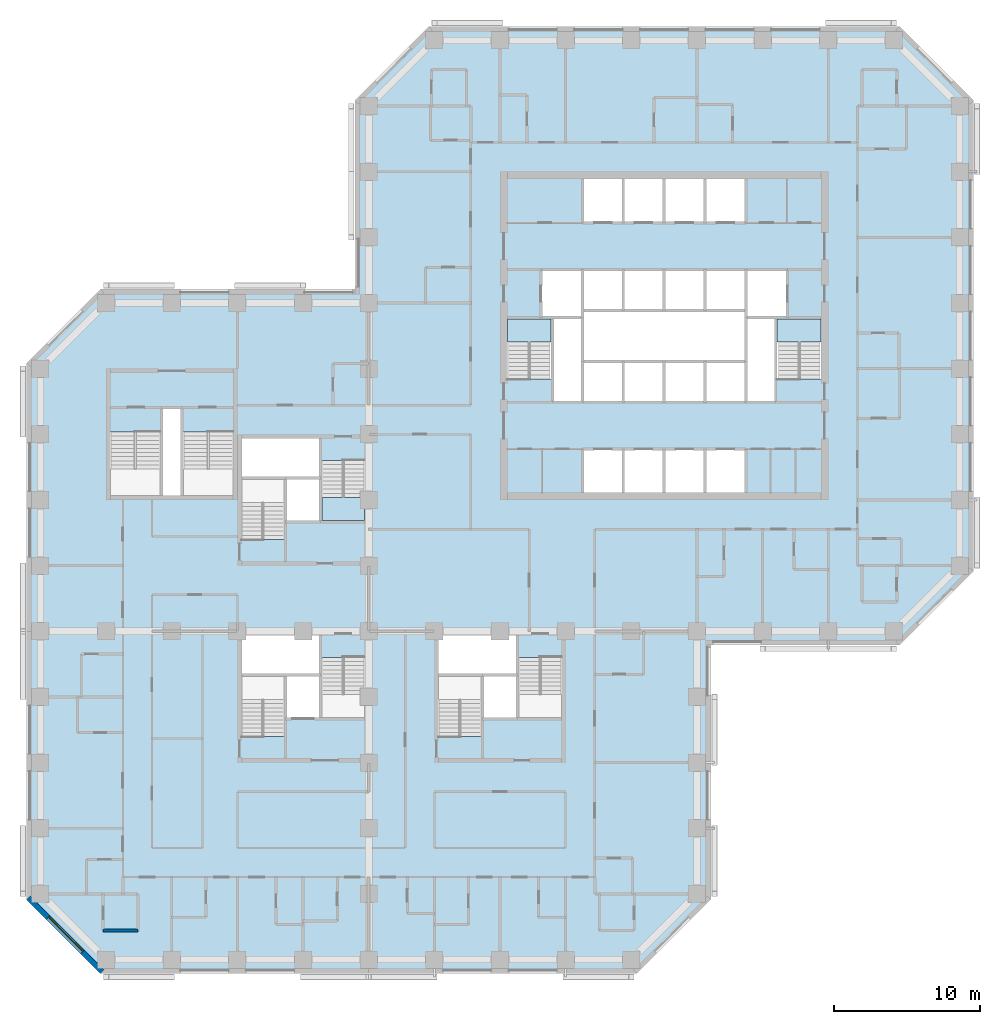
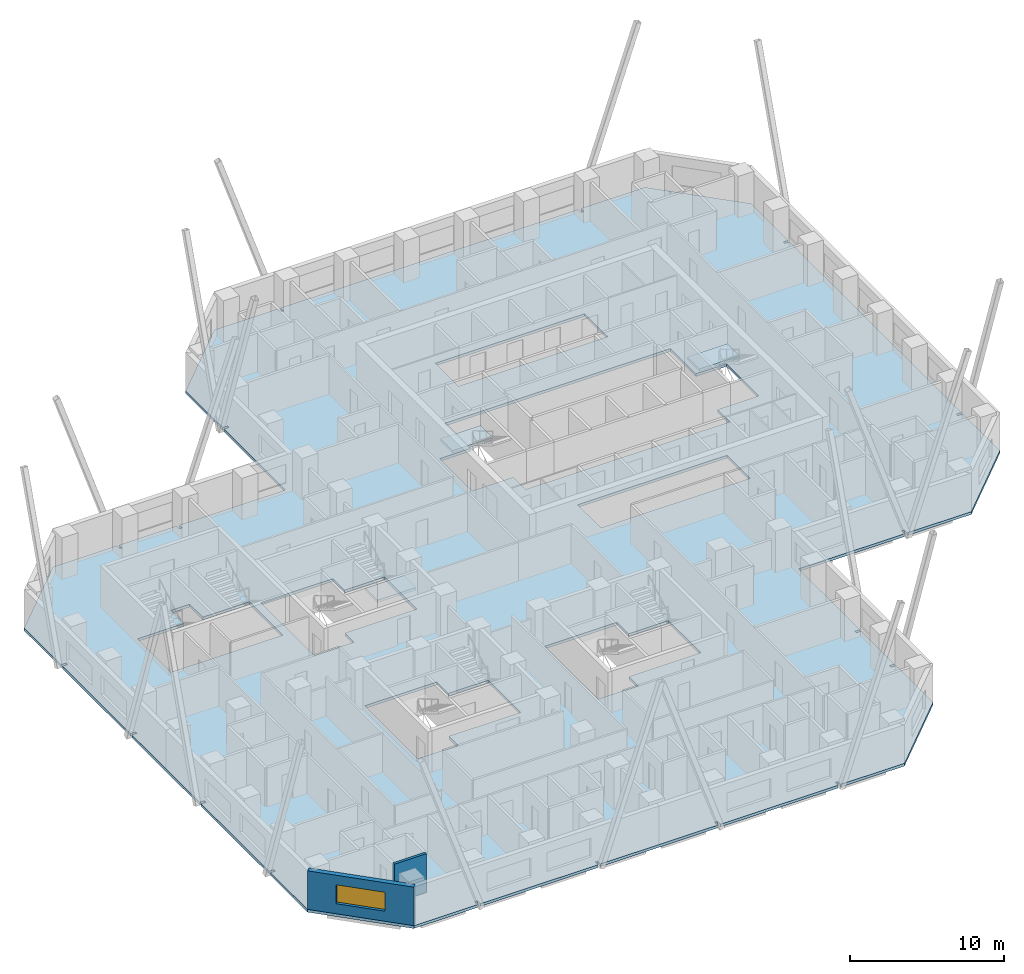
# One storey, part 2 of 13: 4 slabs, 2 walls, 1 window, 1 opening, 3 elements without a shape of their own.
"""IFC4 building model written with IfcOpenShell, lengths in metres."""

from ifc_helpers import new_model, si_unit, direction, frame, frame_2d, origin, place, context, subcontext, project, spatial, polyline, rectangle, outline, extrude, material, layer, layer_set, constituent, constituent_set, type_object, element, fill, aggregate, save


model = new_model("IFC4")

# Units and contexts
model_context = context("Model", 3, precision=1e-05, world=origin(), true_north=direction((0.0, 1.0)))
body_context = subcontext(model_context, "Body", "Model", "MODEL_VIEW")
ifc_project = project(units=[si_unit("LENGTHUNIT", "METRE"), si_unit("AREAUNIT", "SQUARE_METRE"), si_unit("VOLUMEUNIT", "CUBIC_METRE"), si_unit("PLANEANGLEUNIT", "RADIAN"), si_unit("MASSUNIT", "GRAM", prefix="KILO")], contexts=[model_context])

# Site, building, storey
site_placement = place(None, origin())
site = spatial("IfcSite", under=ifc_project, at=site_placement, CompositionType="ELEMENT")
building_placement = place(site_placement, origin())
building = spatial("IfcBuilding", under=site, at=building_placement, Name="Quoin Convention Tower", CompositionType="ELEMENT")
storey_placement = place(building_placement, frame((0.0, 0.0, 26.39990234375)))
storey = spatial("IfcBuildingStorey", under=building, at=storey_placement, Name="L05", CompositionType="ELEMENT", Elevation=26.39990234375)

# Slab
ifc_material_1 = material(Name="Concrete C50", Category="concrete")
ifc_layer_1 = layer(ifc_material_1, 0.219970703125)
ifc_layer_set_1 = layer_set([ifc_layer_1], Name="Concrete C50")
slab_type_1 = type_object("IfcSlabType", Name="RC SLAB 220 C50", PredefinedType="FLOOR", material=ifc_layer_set_1)
slab_1_placement = place(storey_placement, frame((0.0, 0.0, -0.219970703125)))
element("IfcSlab", 1, at=slab_1_placement, inside=storey, type_object=slab_type_1, Name="slb-L05", PredefinedType="FLOOR", context=body_context, shape_type="SweptSolid", body=[
    extrude(outline(polyline([(17.6064453125, 63.949951171875), (22.405029296875, 63.949951171875), (22.405029296875, 63.580078125), (22.594970703125, 63.580078125), (22.594970703125, 63.949951171875), (26.905029296875, 63.949951171875), (26.905029296875, 63.580078125), (27.094970703125, 63.580078125), (27.094970703125, 63.949951171875), (35.050048828125, 63.949951171875), (35.050048828125, 71.905029296875), (35.419921875, 71.905029296875), (35.419921875, 72.094970703125), (35.050048828125, 72.094970703125), (35.050048828125, 76.8935546875), (40.1064453125, 81.949951171875), (44.905029296875, 81.949951171875), (44.905029296875, 81.580078125), (45.094970703125, 81.580078125), (45.094970703125, 81.949951171875), (67.405029296875, 81.949951171875), (67.405029296875, 81.580078125), (67.594970703125, 81.580078125), (67.594970703125, 81.949951171875), (72.3935546875, 81.949951171875), (77.449951171875, 76.8935546875), (77.449951171875, 72.094970703125), (77.080078125, 72.094970703125), (77.080078125, 71.905029296875), (77.449951171875, 71.905029296875), (77.449951171875, 49.594970703125), (77.080078125, 49.594970703125), (77.080078125, 49.405029296875), (77.449951171875, 49.405029296875), (77.449951171875, 44.6064453125), (72.3935546875, 39.550048828125), (67.594970703125, 39.550048828125), (67.594970703125, 39.919921875), (67.405029296875, 39.919921875), (67.405029296875, 39.550048828125), (59.449951171875, 39.550048828125), (59.449951171875, 31.594970703125), (59.080078125, 31.594970703125), (59.080078125, 31.405029296875), (59.449951171875, 31.405029296875), (59.449951171875, 27.094970703125), (59.080078125, 27.094970703125), (59.080078125, 26.905029296875), (59.449951171875, 26.905029296875), (59.449951171875, 22.1064453125), (54.3935546875, 17.050048828125), (49.594970703125, 17.050048828125), (49.594970703125, 17.419921875), (49.405029296875, 17.419921875), (49.405029296875, 17.050048828125), (40.594970703125, 17.050048828125), (40.594970703125, 17.419921875), (40.405029296875, 17.419921875), (40.405029296875, 17.050048828125), (31.594970703125, 17.050048828125), (31.594970703125, 17.419921875), (31.405029296875, 17.419921875), (31.405029296875, 17.050048828125), (22.594970703125, 17.050048828125), (22.594970703125, 17.419921875), (22.405029296875, 17.419921875), (22.405029296875, 17.050048828125), (17.6064453125, 17.050048828125), (12.550048828125, 22.1064453125), (12.550048828125, 26.905029296875), (12.919921875, 26.905029296875), (12.919921875, 27.094970703125), (12.550048828125, 27.094970703125), (12.550048828125, 35.905029296875), (12.919921875, 35.905029296875), (12.919921875, 36.094970703125), (12.550048828125, 36.094970703125), (12.550048828125, 44.905029296875), (12.919921875, 44.905029296875), (12.919921875, 45.094970703125), (12.550048828125, 45.094970703125), (12.550048828125, 53.905029296875), (12.919921875, 53.905029296875), (12.919921875, 54.094970703125), (12.550048828125, 54.094970703125), (12.550048828125, 58.8935546875), (17.6064453125, 63.949951171875)]), holes=[polyline([(30.300048828125, 34.5), (32.699951171875, 34.5), (35.699951171875, 34.5), (35.699951171875, 38.699462890625), (32.699951171875, 38.699462890625), (32.699951171875, 40.199951171875), (27.300048828125, 40.199951171875), (27.300048828125, 37.5), (27.300048828125, 33.300537109375), (30.300048828125, 33.300537109375), (30.300048828125, 34.5)]), polyline([(43.800048828125, 34.5), (46.199951171875, 34.5), (49.199951171875, 34.5), (49.199951171875, 38.699462890625), (46.199951171875, 38.699462890625), (46.199951171875, 40.199951171875), (40.800048828125, 40.199951171875), (40.800048828125, 37.5), (40.800048828125, 33.300537109375), (43.800048828125, 33.300537109375), (43.800048828125, 34.5)]), polyline([(30.300048828125, 46.800537109375), (30.300048828125, 48.0), (32.699951171875, 48.0), (35.699951171875, 48.0), (35.699951171875, 52.199462890625), (32.699951171875, 52.199462890625), (32.699951171875, 53.699951171875), (27.300048828125, 53.699951171875), (27.300048828125, 51.0), (27.300048828125, 46.800537109375), (30.300048828125, 46.800537109375)]), polyline([(56.25, 50.0), (59.050048828125, 50.0), (61.85009765625, 50.0), (61.85009765625, 53.0), (59.050048828125, 53.0), (56.25, 53.0), (53.449951171875, 53.0), (50.64990234375, 53.0), (50.64990234375, 50.0), (53.449951171875, 50.0), (56.25, 50.0)]), polyline([(26.699951171875, 49.800048828125), (26.699951171875, 54.1494140625), (23.199951171875, 54.1494140625), (23.199951171875, 55.85009765625), (21.800048828125, 55.85009765625), (21.800048828125, 54.1494140625), (18.300048828125, 54.1494140625), (18.300048828125, 49.800048828125), (21.800048828125, 49.800048828125), (23.199951171875, 49.800048828125), (26.699951171875, 49.800048828125)]), polyline([(48.60009765625, 57.800537109375), (48.60009765625, 56.199951171875), (50.64990234375, 56.199951171875), (53.449951171875, 56.199951171875), (56.25, 56.199951171875), (59.050048828125, 56.199951171875), (61.85009765625, 56.199951171875), (63.89990234375, 56.199951171875), (63.89990234375, 57.800537109375), (67.0, 57.800537109375), (67.0, 62.0), (64.699951171875, 62.0), (64.699951171875, 65.300048828125), (61.85009765625, 65.300048828125), (59.050048828125, 65.300048828125), (56.25, 65.300048828125), (53.449951171875, 65.300048828125), (50.64990234375, 65.300048828125), (47.800048828125, 65.300048828125), (47.800048828125, 62.0), (45.5, 62.0), (45.5, 57.800537109375), (48.60009765625, 57.800537109375)]), polyline([(61.85009765625, 68.5), (61.85009765625, 71.5), (59.050048828125, 71.5), (56.25, 71.5), (53.449951171875, 71.5), (50.64990234375, 71.5), (50.64990234375, 68.5), (53.449951171875, 68.5), (56.25, 68.5), (59.050048828125, 68.5), (61.85009765625, 68.5)])]), origin(), (0.0, 0.0, 1.0), 0.219970703125),
])

# Stair, slab
ifc_material_2 = material(Name="Concrete C40", Category="concrete")
stair_type = type_object("IfcStairType", Name="Exit stair two-flight 1350", PredefinedType="HALF_TURN_STAIR", material=ifc_material_2)
stair_1_placement = place(storey_placement, origin())
stair_1 = element("IfcStair", 2, at=stair_1_placement, inside=storey, type_object=stair_type, Name="SD1 L05", PredefinedType="HALF_TURN_STAIR")
ifc_layer_2 = layer(ifc_material_2, 0.199951171875)
ifc_layer_set_2 = layer_set([ifc_layer_2], Name="Concrete C40")
slab_type_2 = type_object("IfcSlabType", Name="Stair landing 200", PredefinedType="LANDING", material=ifc_layer_set_2)
slab_2_placement = place(storey_placement, frame((0.0, 0.0, 1.4501953125)))
slab_2 = element("IfcSlab", 3, at=slab_2_placement, type_object=slab_type_2, Name="ST1 landing 1", PredefinedType="LANDING", context=body_context, shape_type="SweptSolid", body=[
    extrude(outline(polyline([(45.5, 60.320068359375), (48.5, 60.320068359375), (48.5, 61.89990234375), (45.5, 61.89990234375), (45.5, 60.320068359375)])), origin(), (0.0, 0.0, 1.0), 0.199951171875),
])
aggregate(stair_1, [slab_2])

stair_2_placement = place(storey_placement, origin())
stair_2 = element("IfcStair", 4, at=stair_2_placement, inside=storey, type_object=stair_type, Name="SD2 L05", PredefinedType="HALF_TURN_STAIR")
slab_3_placement = place(storey_placement, frame((0.0, 0.0, 1.4501953125)))
slab_3 = element("IfcSlab", 5, at=slab_3_placement, type_object=slab_type_2, Name="ST2 landing 1", PredefinedType="LANDING", context=body_context, shape_type="SweptSolid", body=[
    extrude(outline(polyline([(64.0, 60.320068359375), (67.0, 60.320068359375), (67.0, 61.89990234375), (64.0, 61.89990234375), (64.0, 60.320068359375)])), origin(), (0.0, 0.0, 1.0), 0.199951171875),
])
aggregate(stair_2, [slab_3])

stair_3_placement = place(storey_placement, origin())
stair_3 = element("IfcStair", 6, at=stair_3_placement, inside=storey, type_object=stair_type, Name="SD4 L05", PredefinedType="HALF_TURN_STAIR")
slab_4_placement = place(storey_placement, frame((0.0, 0.0, 1.4501953125)))
slab_4 = element("IfcSlab", 7, at=slab_4_placement, type_object=slab_type_2, Name="ST4 landing 1", PredefinedType="LANDING", context=body_context, shape_type="SweptSolid", body=[
    extrude(outline(polyline([(35.699951171875, 49.679931640625), (32.800048828125, 49.679931640625), (32.800048828125, 48.10009765625), (35.699951171875, 48.10009765625), (35.699951171875, 49.679931640625)])), origin(), (0.0, 0.0, 1.0), 0.199951171875),
])
aggregate(stair_3, [slab_4])

# Wall, opening, window
ifc_material_3 = material(Name="Brick masonry", Category="masonry")
ifc_layer_3 = layer(ifc_material_3, 0.35009765625)
ifc_layer_set_3 = layer_set([ifc_layer_3], Name="Brick masonry")
wall_type_1 = type_object("IfcWallType", Name="Brick facade wall", PredefinedType="STANDARD", material=ifc_layer_set_3)
wall_1_placement = place(storey_placement, frame((12.673583984375, 22.230224609375, 0.0), z_axis=(0.0, 0.0, 1.0), x_axis=(0.707106781187, -0.707106781187, 0.0)))
wall_1 = element("IfcWall", 8, at=wall_1_placement, inside=storey, type_object=wall_type_1, Name="fw-L05-13500_22500", PredefinedType="STANDARD", context=body_context, shape_type="SweptSolid", body=[
    extrude(rectangle(XDim=7.151123046875, YDim=0.35009765625, at=frame_2d((3.57568359375, 0.0))), origin(), (0.0, 0.0, 1.0), 3.05517578125),
])
opening_placement = place(wall_1_placement, frame((1.925537109375, 0.0, 0.800048828125)))
opening = element("IfcOpeningElement", 9, at=opening_placement, cuts=wall_1, Name="Opening W-01", PredefinedType="OPENING", context=body_context, shape_type="SweptSolid", body=[
    extrude(rectangle(XDim=3.300048828125, YDim=1.5, at=frame_2d((1.64990234375, 0.75))), frame((0.0, 0.18505859375, 0.0), z_axis=(0.0, -1.0, 0.0), x_axis=(1.0, 0.0, 0.0)), (0.0, 0.0, 1.0), 0.3701171875),
])
ifc_material_4 = material(Name="Aluminium", Category="aluminium")
ifc_constituent_1 = constituent(ifc_material_4, Name="Frame")
ifc_material_5 = material(Name="Insulated glass", Category="glass")
ifc_constituent_2 = constituent(ifc_material_5, Name="Glazing")
ifc_constituent_set = constituent_set(constituents=[ifc_constituent_1, ifc_constituent_2], Name="Aluminium")
window_type = type_object("IfcWindowType", Name="Hotel strip window", PartitioningType="DOUBLE_PANEL_VERTICAL", PredefinedType="WINDOW", material=ifc_constituent_set)
window_placement = place(opening_placement, origin())
window = element("IfcWindow", 10, at=window_placement, inside=storey, type_object=window_type, Name="win-L05-15202_19702", OverallHeight=1.5, OverallWidth=3.300048828125, PartitioningType="SINGLE_PANEL", PredefinedType="WINDOW", context=body_context, shape_type="SweptSolid", body=[
    extrude(rectangle(XDim=3.300048828125, YDim=1.5, at=frame_2d((1.64990234375, 0.75))), frame((0.0, 0.0849609375, 0.0), z_axis=(0.0, -1.0, 0.0), x_axis=(1.0, 0.0, 0.0)), (0.0, 0.0, 1.0), 0.06005859375),
])
fill(opening, window)

# Wall
ifc_layer_4 = layer(ifc_material_1, 0.199951171875)
ifc_layer_set_4 = layer_set([ifc_layer_4], Name="Concrete C50")
wall_type_2 = type_object("IfcWallType", Name="RC party wall", PredefinedType="SOLIDWALL", material=ifc_layer_set_4)
wall_2_placement = place(storey_placement, frame((17.800048828125, 20.0, 0.0), z_axis=(0.0, 0.0, 1.0), x_axis=(1.0, 0.0, 0.0)))
element("IfcWall", 11, at=wall_2_placement, inside=storey, type_object=wall_type_2, Name="pw-L05-044", PredefinedType="SOLIDWALL", context=body_context, shape_type="SweptSolid", body=[
    extrude(rectangle(XDim=2.39990234375, YDim=0.199951171875, at=frame_2d((1.199951171875, 0.0))), origin(), (0.0, 0.0, 1.0), 3.080078125),
])

save(model, "model.ifc")
